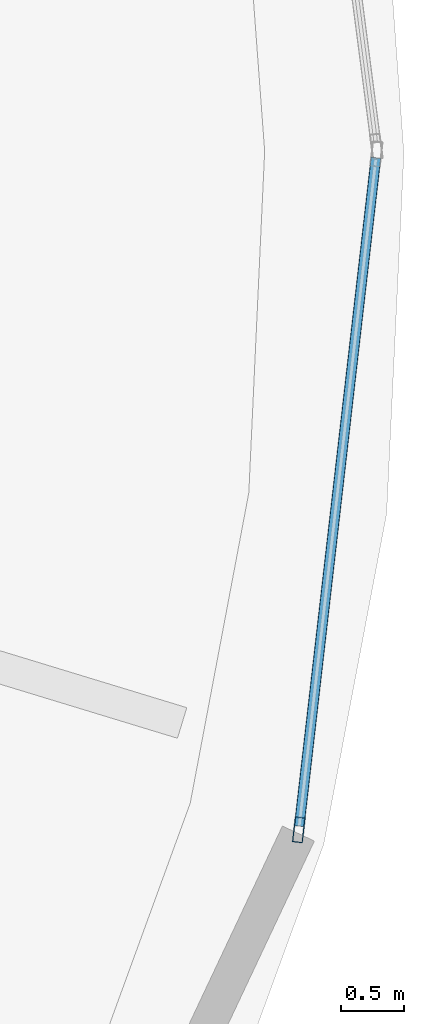
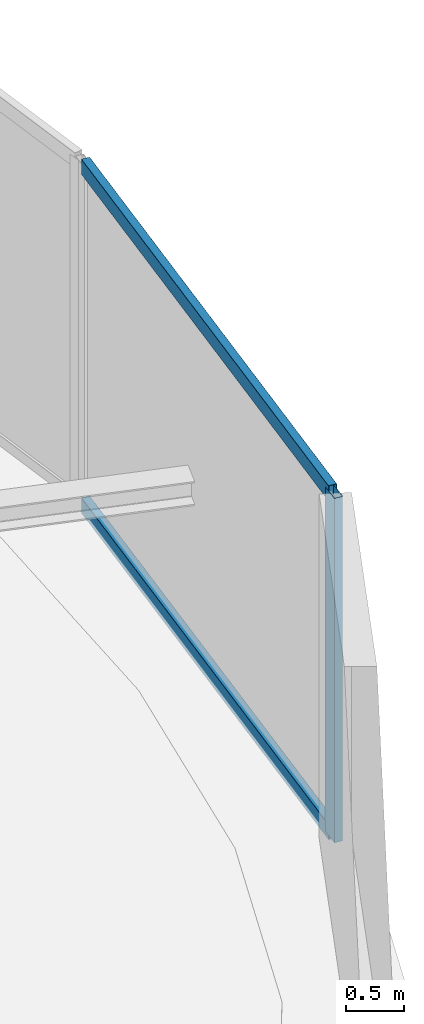
# One storey, part 7 of 20: 3 members, 1 element without a shape of its own.
"""IFC4 building model written with IfcOpenShell, lengths in metres."""

from ifc_helpers import new_model, si_unit, direction, frame, origin, origin_2d, place, context, subcontext, project, spatial, hollow_rectangle, extrude, material, layer, layer_set, material_profile, profile_set, type_object, element, aggregate, save


model = new_model("IFC4")

# Units and contexts
model_context = context("Model", 3, precision=1e-05, world=origin(), true_north=direction((0.0, 1.0)))
body_context = subcontext(model_context, "Body", "Model", "MODEL_VIEW")
ifc_project = project(units=[si_unit("LENGTHUNIT", "METRE"), si_unit("AREAUNIT", "SQUARE_METRE"), si_unit("VOLUMEUNIT", "CUBIC_METRE"), si_unit("PLANEANGLEUNIT", "RADIAN"), si_unit("MASSUNIT", "GRAM", prefix="KILO")], contexts=[model_context])

# Site, building, storey
site_placement = place(None, origin())
site = spatial("IfcSite", under=ifc_project, at=site_placement, CompositionType="ELEMENT")
building_placement = place(site_placement, origin())
building = spatial("IfcBuilding", under=site, at=building_placement, Name="Bramvorn Convention Spire", CompositionType="ELEMENT")
storey_placement = place(building_placement, frame((0.0, 0.0, 175.050048828125)))
storey = spatial("IfcBuildingStorey", under=building, at=storey_placement, Name="L44", CompositionType="ELEMENT", Elevation=175.050048828125)

# Curtain wall, members
ifc_material_1 = material(Name="Anodised Bronze Unitised Curtain Wall", Category="aluminium")
ifc_layer = layer(ifc_material_1, 0.179931640625)
ifc_layer_set = layer_set([ifc_layer], Name="Anodised Bronze Unitised Curtain Wall - CW-OFF-FRIT")
curtain_wall_type = type_object("IfcCurtainWallType", Name="CW-OFF-FRIT", PredefinedType="USERDEFINED", material=ifc_layer_set)
curtain_wall_placement = place(storey_placement, origin())
curtain_wall = element("IfcCurtainWall", 1, at=curtain_wall_placement, inside=storey, type_object=curtain_wall_type, Name="L44 fritted glass curtain wall 02", ObjectType="UNITISED CURTAIN WALL", PredefinedType="USERDEFINED")
ifc_material_2 = material(Name="Anodised Bronze Aluminium 6063-T6", Category="aluminium")
ifc_material_profile_1 = material_profile(ifc_material_2, hollow_rectangle(XDim=0.080078125, YDim=0.199951171875, WallThickness=0.00390625, InnerFilletRadius=0.0009765625, OuterFilletRadius=0.00390625, at=origin_2d()))
ifc_profile_set_1 = profile_set([ifc_material_profile_1], Name="Anodised Bronze Aluminium 6063-T6 - CWM80X200")
member_type_1 = type_object("IfcMemberType", Name="CW-MUL-180", PredefinedType="MULLION", material=ifc_profile_set_1)
member_1_placement = place(storey_placement, frame((62.851318359375, 13.837158203125, 0.0), z_axis=(0.0, 0.0, 1.0), x_axis=(0.993479833675, -0.114007982536, 0.0)))
member_1 = element("IfcMember", 2, at=member_1_placement, type_object=member_type_1, Name="CW3 mullion 2", PredefinedType="MULLION", context=body_context, shape_type="SweptSolid", body=[
    extrude(hollow_rectangle(XDim=0.080078125, YDim=0.199951171875, WallThickness=0.00390625, InnerFilletRadius=0.0009765625, OuterFilletRadius=0.00390625, at=origin_2d()), origin(), (0.0, 0.0, 1.0), 3.619873046875),
])
ifc_material_profile_2 = material_profile(ifc_material_2, hollow_rectangle(XDim=0.080078125, YDim=0.159912109375, WallThickness=0.00390625, InnerFilletRadius=0.0009765625, OuterFilletRadius=0.00390625, at=origin_2d()))
ifc_profile_set_2 = profile_set([ifc_material_profile_2], Name="Anodised Bronze Aluminium 6063-T6 - CWT80X160")
member_type_2 = type_object("IfcMemberType", Name="CW-TRN-150", PredefinedType="USERDEFINED", material=ifc_profile_set_2)
member_2_placement = place(storey_placement, frame((63.464111328125, 19.1767578125, 0.030029296875), z_axis=(-0.114015518245, -0.993478968876, 0.0), x_axis=(0.993478968876, -0.114015518245, 0.0)))
member_2 = element("IfcMember", 3, at=member_2_placement, type_object=member_type_2, Name="CW3 transom 1.1", ObjectType="TRANSOM", PredefinedType="USERDEFINED", context=body_context, shape_type="SweptSolid", body=[
    extrude(hollow_rectangle(XDim=0.080078125, YDim=0.159912109375, WallThickness=0.00390625, InnerFilletRadius=0.0009765625, OuterFilletRadius=0.00390625, at=origin_2d()), origin(), (0.0, 0.0, 1.0), 5.3447265625),
])
member_3_placement = place(storey_placement, frame((63.464111328125, 19.1767578125, 3.58984375), z_axis=(-0.114015518245, -0.993478968876, 0.0), x_axis=(0.993478968876, -0.114015518245, 0.0)))
member_3 = element("IfcMember", 4, at=member_3_placement, type_object=member_type_2, Name="CW3 transom 1.2", ObjectType="TRANSOM", PredefinedType="USERDEFINED", context=body_context, shape_type="SweptSolid", body=[
    extrude(hollow_rectangle(XDim=0.080078125, YDim=0.159912109375, WallThickness=0.00390625, InnerFilletRadius=0.0009765625, OuterFilletRadius=0.00390625, at=origin_2d()), origin(), (0.0, 0.0, 1.0), 5.3447265625),
])
aggregate(curtain_wall, [member_1, member_2, member_3])

save(model, "model.ifc")
